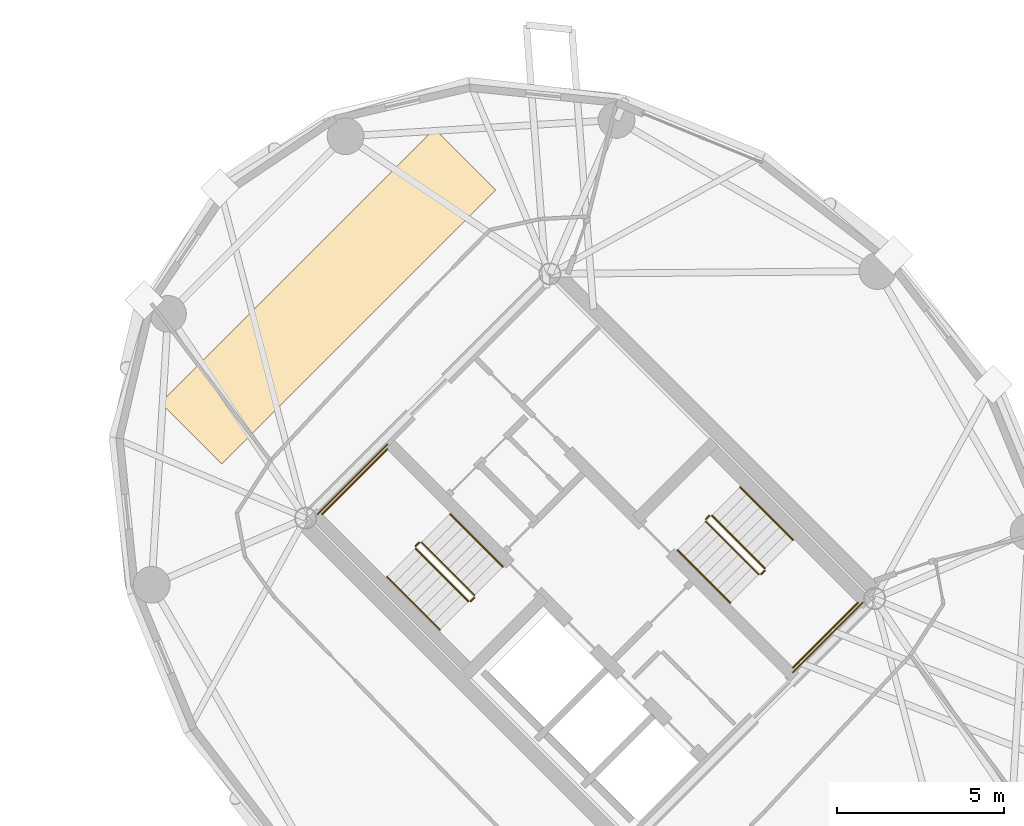
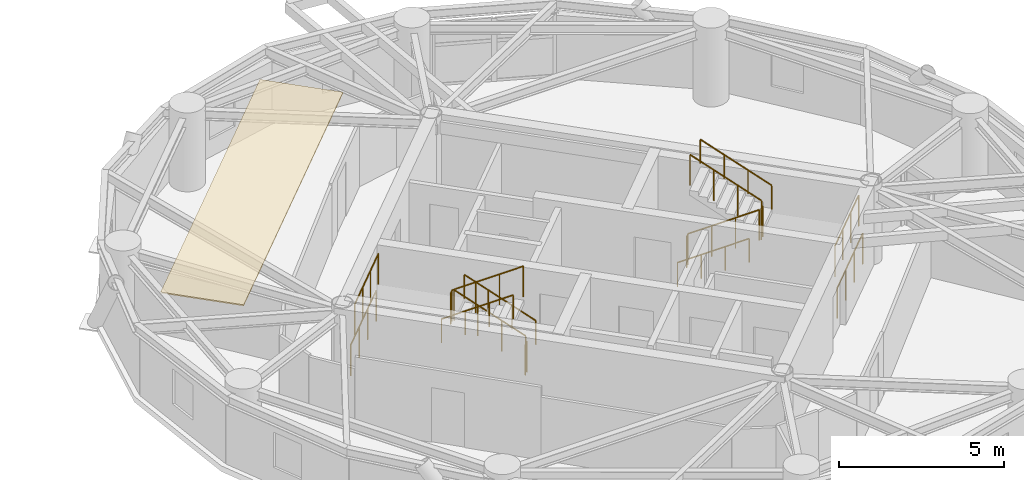
# One storey, part 14 of 14: 16 railings, 1 covering.
"""IFC4 building model written with IfcOpenShell, lengths in metres."""

import ifcopenshell
import ifcopenshell.guid

model = None  # the IFC model being written
_history = None  # IfcOwnerHistory: only IFC2X3 demands one
_inside = {}  # id of a spatial element -> (the spatial element, [elements in it])
_under = {}  # id of a project, library or spatial element -> (it, [spatial elements below it])
_declared = {}  # id of a project -> (the project, [libraries it declares])
_typed = {}  # id of a type object -> (the type object, [elements of that type])
_made_of = {}  # id of a material, layer set ... -> (it, [elements and type objects made of it])


def new_model(schema):
    """Start an empty IFC model of exactly this schema.

    Asked for "IFC4X3", IfcOpenShell would pick the latest addendum, in which some entities
    have other attributes; the version numbers below select the first issue.
    IFC2X3 requires an IfcOwnerHistory on every rooted entity: one is made here for all.
    """
    global model, _history
    if schema == "IFC4X3":
        model = ifcopenshell.file(schema_version=(4, 3, 0, 0))
    else:
        model = ifcopenshell.file(schema=schema)
    _inside.clear()
    _under.clear()
    _declared.clear()
    _typed.clear()
    _made_of.clear()
    _history = None
    if model.schema == "IFC2X3":
        org = make("IfcOrganization", Name="unknown")
        user = make(
            "IfcPersonAndOrganization",
            ThePerson=make("IfcPerson", FamilyName="unknown"),
            TheOrganization=org,
        )
        app = make(
            "IfcApplication",
            ApplicationDeveloper=org,
            Version="unknown",
            ApplicationFullName="unknown",
            ApplicationIdentifier="unknown",
        )
        _history = make(
            "IfcOwnerHistory",
            OwningUser=user,
            OwningApplication=app,
            ChangeAction="ADDED",
            CreationDate=0,
        )
    return model


def make(cls, **values):
    """One entity of the class cls with the attributes given. An attribute that is None is left unset."""
    return model.create_entity(
        cls, **{name: value for name, value in values.items() if value is not None}
    )


def rooted(cls, **values):
    """An entity with a GlobalId (a new one), such as an element, a storey or a relation."""
    return make(cls, GlobalId=ifcopenshell.guid.new(), OwnerHistory=_history, **values)


def si_unit(unit_type, name, prefix=None):
    """IfcSIUnit, for example si_unit("LENGTHUNIT", "METRE", prefix="MILLI")."""
    return make("IfcSIUnit", UnitType=unit_type, Prefix=prefix, Name=name)


def assignment(units):
    """IfcUnitAssignment: the units of a project."""
    return None if units is None else make("IfcUnitAssignment", Units=units)


def point(xyz):
    """IfcCartesianPoint."""
    return None if xyz is None else make("IfcCartesianPoint", Coordinates=xyz)


def direction(xyz):
    """IfcDirection."""
    return None if xyz is None else make("IfcDirection", DirectionRatios=xyz)


def frame(location, z_axis=None, x_axis=None):
    """IfcAxis2Placement3D, a coordinate frame: its origin and axes. An axis left out is left unset."""
    return make(
        "IfcAxis2Placement3D",
        Location=point(location),
        Axis=direction(z_axis),
        RefDirection=direction(x_axis),
    )


def frame_2d(location, x_axis=None):
    """IfcAxis2Placement2D, a coordinate frame in the plane: its origin and x axis."""
    return make(
        "IfcAxis2Placement2D", Location=point(location), RefDirection=direction(x_axis)
    )


def origin():
    """The frame at (0, 0, 0) with its axes left unset."""
    return frame((0.0, 0.0, 0.0))


def origin_2d():
    """The frame at (0, 0) in the plane with its x axis left unset."""
    return frame_2d((0.0, 0.0))


def place(relative_to, where):
    """IfcLocalPlacement: puts the frame where relative to a parent placement (None: the world)."""
    return make(
        "IfcLocalPlacement", PlacementRelTo=relative_to, RelativePlacement=where
    )


def context(
    kind, dimensions, precision=None, world=None, true_north=None, identifier=None
):
    """IfcGeometricRepresentationContext, for example the 3D "Model" context."""
    return make(
        "IfcGeometricRepresentationContext",
        ContextIdentifier=identifier,
        ContextType=kind,
        CoordinateSpaceDimension=dimensions,
        Precision=precision,
        WorldCoordinateSystem=world,
        TrueNorth=true_north,
    )


def subcontext(parent, identifier, kind, view, scale=None):
    """IfcGeometricRepresentationSubContext, for example "Body" below "Model"."""
    return make(
        "IfcGeometricRepresentationSubContext",
        ContextIdentifier=identifier,
        ContextType=kind,
        ParentContext=parent,
        TargetScale=scale,
        TargetView=view,
    )


def project(units=None, contexts=None):
    """IfcProject with its units and contexts."""
    return rooted(
        "IfcProject",
        Name="project",
        RepresentationContexts=contexts,
        UnitsInContext=assignment(units),
    )


def spatial(cls, under=None, at=None, **own):
    """A site, building, storey or space (cls), placed at a placement, below another one or the project."""
    s = rooted(cls, ObjectPlacement=at, **own)
    if under is not None:
        _under.setdefault(under.id(), (under, []))[1].append(s)
    return s


def polyline(points):
    """IfcPolyline through the points."""
    return make("IfcPolyline", Points=[point(p) for p in points])


def profile(cls, at=None, kind="AREA", **sizes):
    """A parametric profile (cls). Its sizes go by their IFC names, for example OverallWidth=200.0."""
    return make(cls, ProfileType=kind, Position=at, **sizes)


def circle(**sizes):
    """IfcCircleProfileDef."""
    return profile("IfcCircleProfileDef", **sizes)


def outline(outer, holes=None, kind="AREA"):
    """IfcArbitraryClosedProfileDef: a profile drawn as a closed curve; with holes, ...WithVoids."""
    if holes is None:
        return make("IfcArbitraryClosedProfileDef", ProfileType=kind, OuterCurve=outer)
    return make(
        "IfcArbitraryProfileDefWithVoids",
        ProfileType=kind,
        OuterCurve=outer,
        InnerCurves=holes,
    )


def extrude(swept, where, along, depth):
    """IfcExtrudedAreaSolid: the profile swept, set in the frame where, extruded along a direction by depth."""
    return make(
        "IfcExtrudedAreaSolid",
        SweptArea=swept,
        Position=where,
        ExtrudedDirection=direction(along),
        Depth=depth,
    )


def shape(context_of_items, identifier, shape_type, items):
    """IfcShapeRepresentation: the items that make up one representation, for example the "Body"."""
    return make(
        "IfcShapeRepresentation",
        ContextOfItems=context_of_items,
        RepresentationIdentifier=identifier,
        RepresentationType=shape_type,
        Items=items,
    )


def material(Name=None, Category=None):
    """IfcMaterial."""
    return make("IfcMaterial", Name=Name, Category=Category)


def layer(
    of_material, thickness, ventilated=None, Name=None, Category=None, Priority=None
):
    """IfcMaterialLayer: one layer of a wall or slab, of a material (None: an air gap)."""
    return make(
        "IfcMaterialLayer",
        Material=of_material,
        LayerThickness=thickness,
        IsVentilated=ventilated,
        Name=Name,
        Category=Category,
        Priority=Priority,
    )


def layer_set(layers, Name=None):
    """IfcMaterialLayerSet."""
    return make("IfcMaterialLayerSet", MaterialLayers=layers, LayerSetName=Name)


def made_of(thing, what):
    """Note that an element or type object is made of a material, layer set ...; save() writes the relation."""
    if what is not None:
        _made_of.setdefault(what.id(), (what, []))[1].append(thing)
    return thing


def type_object(cls, material=None, **own):
    """A type object (cls), such as IfcWallType, which elements share."""
    return made_of(rooted(cls, **own), material)


def element(
    cls,
    number,
    at=None,
    inside=None,
    cuts=None,
    type_object=None,
    material=None,
    context=None,
    identifier="Body",
    shape_type=None,
    held_by="IfcProductDefinitionShape",
    body=None,
    shapes=None,
    **own,
):
    """One element of the class cls, such as IfcWall. Its Tag is "e" and its number.

    at: its placement. inside: the storey or other place that contains it. cuts: it is an
    opening in that element (IfcRelVoidsElement). A single representation is given by context,
    identifier, shape_type and body (its items); several are given by shapes. held_by: the class
    of the entity that holds the representations. save() writes the other relations.
    """
    e = rooted(cls, Tag="e%d" % number, ObjectPlacement=at, **own)
    if body is not None:
        shapes = [shape(context, identifier, shape_type, body)]
    if shapes is not None:
        e.Representation = make(held_by, Representations=shapes)
    if inside is not None:
        _inside.setdefault(inside.id(), (inside, []))[1].append(e)
    if cuts is not None:
        rooted(
            "IfcRelVoidsElement", RelatingBuildingElement=cuts, RelatedOpeningElement=e
        )
    if type_object is not None:
        _typed.setdefault(type_object.id(), (type_object, []))[1].append(e)
    return made_of(e, material)


def aggregate(whole, parts):
    """IfcRelAggregates: a whole, such as a stair, and the parts it consists of."""
    return rooted("IfcRelAggregates", RelatingObject=whole, RelatedObjects=parts)


def save(model, path):
    """Write the relations noted so far, then the file.

    IfcRelAggregates (storeys below a building ...), IfcRelContainedInSpatialStructure (elements
    in a storey), IfcRelDefinesByType, IfcRelAssociatesMaterial and IfcRelDeclares: one each for
    every whole, place, type object, material and project.
    """
    for whole, parts in _under.values():
        aggregate(whole, parts)
    for where, things in _inside.values():
        rooted(
            "IfcRelContainedInSpatialStructure",
            RelatedElements=things,
            RelatingStructure=where,
        )
    for kind, things in _typed.values():
        rooted("IfcRelDefinesByType", RelatedObjects=things, RelatingType=kind)
    for what, things in _made_of.values():
        rooted("IfcRelAssociatesMaterial", RelatedObjects=things, RelatingMaterial=what)
    for by, libraries in _declared.values():
        rooted("IfcRelDeclares", RelatingContext=by, RelatedDefinitions=libraries)
    model.write(path)


model = new_model("IFC4")

# Units and contexts
model_context = context("Model", 3, precision=1e-05, world=origin(), true_north=direction((0.0, 1.0)))
body_context = subcontext(model_context, "Body", "Model", "MODEL_VIEW")
ifc_project = project(units=[si_unit("LENGTHUNIT", "METRE"), si_unit("AREAUNIT", "SQUARE_METRE"), si_unit("VOLUMEUNIT", "CUBIC_METRE"), si_unit("PLANEANGLEUNIT", "RADIAN"), si_unit("MASSUNIT", "GRAM", prefix="KILO")], contexts=[model_context])

# Site, building, storey
site_placement = place(None, origin())
site = spatial("IfcSite", under=ifc_project, at=site_placement, CompositionType="ELEMENT")
building_placement = place(site_placement, origin())
building = spatial("IfcBuilding", under=site, at=building_placement, Name="Cununo Teusaquillo Station Towers", CompositionType="ELEMENT")
storey_placement = place(building_placement, frame((0.0, 0.0, 202.47998046875)))
storey = spatial("IfcBuildingStorey", under=building, at=storey_placement, Name="L64", CompositionType="ELEMENT", Elevation=202.47998046875)

# Covering
ifc_material_1 = material(Name="Mineral-fibre acoustic suspended ceiling tile", Category="finish")
ifc_layer = layer(ifc_material_1, 0.044921875)
ifc_layer_set = layer_set([ifc_layer], Name="Mineral-fibre acoustic suspended ceiling tile")
covering_type = type_object("IfcCoveringType", Name="COV-CEIL-600", PredefinedType="CEILING", material=ifc_layer_set)
covering_placement = place(storey_placement, frame((0.0, 0.0, 2.655029296875)))
element("IfcCovering", 1, at=covering_placement, inside=storey, type_object=covering_type, Name="L64 Tower B Acoustic Ceiling", PredefinedType="CEILING", context=body_context, shape_type="SweptSolid", body=[
    extrude(outline(polyline([(52.8330078125, 37.369384765625), (54.671630859375, 35.531005859375), (46.468994140625, 27.328369140625), (44.630615234375, 29.1669921875), (52.8330078125, 37.369384765625)])), origin(), (0.0, 0.0, 1.0), 0.044921875),
])

# Railings
ifc_material_2 = material(Name="Steel EN 10025-2 S355J2", Category="steel")
railing_type_1 = type_object("IfcRailingType", Name="RL-INT-GUARD", PredefinedType="GUARDRAIL", material=ifc_material_2)
railing_1_placement = place(storey_placement, frame((54.03515625, 23.39697265625, 0.16162109375)))
element("IfcRailing", 2, at=railing_1_placement, inside=storey, type_object=railing_type_1, Name="L64 ST-T2-1 stair guard 1", PredefinedType="GUARDRAIL", context=body_context, shape_type="SweptSolid", body=[
    extrude(circle(Radius=0.02392578125, at=origin_2d()), frame((0.0, 0.0, 1.1259765625), z_axis=(-0.612332353853, 0.612332353853, 0.500098167213), x_axis=(-0.707106781187, -0.707106781187, 0.0)), (0.0, 0.0, 1.0), 2.58642578125),
    extrude(circle(Radius=0.02099609375, at=origin_2d()), origin(), (0.0, 0.0, 1.0), 1.101806640625),
    extrude(circle(Radius=0.02099609375, at=origin_2d()), frame((-0.52783203125, 0.52783203125, 0.43115234375)), (0.0, 0.0, 1.0), 1.101806640625),
    extrude(circle(Radius=0.02099609375, at=origin_2d()), frame((-1.055908203125, 1.055908203125, 0.8623046875)), (0.0, 0.0, 1.0), 1.101806640625),
    extrude(circle(Radius=0.02099609375, at=origin_2d()), frame((-1.583740234375, 1.583740234375, 1.29345703125)), (0.0, 0.0, 1.0), 1.101806640625),
])
railing_2_placement = place(storey_placement, frame((52.380615234375, 24.980712890625, 1.455078125)))
element("IfcRailing", 3, at=railing_2_placement, inside=storey, type_object=railing_type_1, Name="L64 ST-T2-1 stair guard 2", PredefinedType="GUARDRAIL", context=body_context, shape_type="SweptSolid", body=[
    extrude(circle(Radius=0.02392578125, at=origin_2d()), frame((0.0, 0.0, 1.1259765625), z_axis=(-0.7078691598, -0.706343579714, 0.0), x_axis=(0.706343579714, -0.7078691598, 0.0)), (0.0, 0.0, 1.0), 0.159912109375),
    extrude(circle(Radius=0.02099609375, at=origin_2d()), origin(), (0.0, 0.0, 1.0), 1.101806640625),
    extrude(circle(Radius=0.02099609375, at=origin_2d()), frame((-0.11328125, -0.113037109375, 0.0)), (0.0, 0.0, 1.0), 1.101806640625),
])
railing_3_placement = place(storey_placement, frame((51.426025390625, 27.77392578125, 1.455078125)))
element("IfcRailing", 4, at=railing_3_placement, inside=storey, type_object=railing_type_1, Name="L64 ST-T2-1 stair guard 3", PredefinedType="GUARDRAIL", context=body_context, shape_type="SweptSolid", body=[
    extrude(circle(Radius=0.02392578125, at=origin_2d()), frame((0.0, 0.0, 1.1259765625), z_axis=(-0.707106781187, -0.707106781187, 0.0), x_axis=(0.707106781187, -0.707106781187, 0.0)), (0.0, 0.0, 1.0), 2.760009765625),
    extrude(circle(Radius=0.02099609375, at=origin_2d()), origin(), (0.0, 0.0, 1.0), 1.101806640625),
    extrude(circle(Radius=0.02099609375, at=origin_2d()), frame((-0.650634765625, -0.650634765625, 0.0)), (0.0, 0.0, 1.0), 1.101806640625),
    extrude(circle(Radius=0.02099609375, at=origin_2d()), frame((-1.301025390625, -1.301025390625, 0.0)), (0.0, 0.0, 1.0), 1.101806640625),
    extrude(circle(Radius=0.02099609375, at=origin_2d()), frame((-1.95166015625, -1.95166015625, 0.0)), (0.0, 0.0, 1.0), 1.101806640625),
])
railing_4_placement = place(storey_placement, frame((52.267333984375, 24.796875, 1.61669921875)))
element("IfcRailing", 5, at=railing_4_placement, inside=storey, type_object=railing_type_1, Name="L64 ST-T2-1 stair guard 4", PredefinedType="GUARDRAIL", context=body_context, shape_type="SweptSolid", body=[
    extrude(circle(Radius=0.02392578125, at=origin_2d()), frame((0.0, 0.0, 1.1259765625), z_axis=(0.612420254088, -0.612325861324, 0.499998471934), x_axis=(0.707052281454, 0.707161276719, 0.0)), (0.0, 0.0, 1.0), 2.58642578125),
    extrude(circle(Radius=0.02099609375, at=origin_2d()), origin(), (0.0, 0.0, 1.0), 1.101806640625),
    extrude(circle(Radius=0.02099609375, at=origin_2d()), frame((0.528076171875, -0.52783203125, 0.43115234375)), (0.0, 0.0, 1.0), 1.101806640625),
    extrude(circle(Radius=0.02099609375, at=origin_2d()), frame((1.055908203125, -1.055908203125, 0.862060546875)), (0.0, 0.0, 1.0), 1.101806640625),
    extrude(circle(Radius=0.02099609375, at=origin_2d()), frame((1.583984375, -1.583740234375, 1.293212890625)), (0.0, 0.0, 1.0), 1.101806640625),
])
railing_5_placement = place(storey_placement, frame((54.03515625, 23.326171875, 0.0)))
element("IfcRailing", 6, at=railing_5_placement, inside=storey, type_object=railing_type_1, Name="L64 ST-T2-1 stair guard 5", PredefinedType="GUARDRAIL", context=body_context, shape_type="SweptSolid", body=[
    extrude(circle(Radius=0.02392578125, at=origin_2d()), frame((0.0, 0.0, 1.1259765625), z_axis=(-0.707106781187, -0.707106781187, 0.0), x_axis=(0.707106781187, -0.707106781187, 0.0)), (0.0, 0.0, 1.0), 0.159912109375),
    extrude(circle(Radius=0.02099609375, at=origin_2d()), origin(), (0.0, 0.0, 1.0), 1.101806640625),
    extrude(circle(Radius=0.02099609375, at=origin_2d()), frame((-0.113037109375, -0.113037109375, 0.0)), (0.0, 0.0, 1.0), 1.101806640625),
])
railing_6_placement = place(storey_placement, frame((51.426025390625, 27.915283203125, 0.0)))
element("IfcRailing", 7, at=railing_6_placement, inside=storey, type_object=railing_type_1, Name="L64 ST-T2-1 stair guard 6", PredefinedType="GUARDRAIL", context=body_context, shape_type="SweptSolid", body=[
    extrude(circle(Radius=0.02392578125, at=origin_2d()), frame((0.0, 0.0, 1.1259765625), z_axis=(-0.707106781187, -0.707106781187, 0.0), x_axis=(0.707106781187, -0.707106781187, 0.0)), (0.0, 0.0, 1.0), 2.9599609375),
    extrude(circle(Radius=0.02099609375, at=origin_2d()), origin(), (0.0, 0.0, 1.0), 1.101806640625),
    extrude(circle(Radius=0.02099609375, at=origin_2d()), frame((-0.69775390625, -0.69775390625, 0.0)), (0.0, 0.0, 1.0), 1.101806640625),
    extrude(circle(Radius=0.02099609375, at=origin_2d()), frame((-1.395263671875, -1.395263671875, 0.0)), (0.0, 0.0, 1.0), 1.101806640625),
    extrude(circle(Radius=0.02099609375, at=origin_2d()), frame((-2.093017578125, -2.093017578125, 0.0)), (0.0, 0.0, 1.0), 1.101806640625),
])
railing_7_placement = place(storey_placement, frame((60.96484375, 25.60302734375, 0.16162109375)))
element("IfcRailing", 8, at=railing_7_placement, inside=storey, type_object=railing_type_1, Name="L64 ST-T2-2 stair guard 1", PredefinedType="GUARDRAIL", context=body_context, shape_type="SweptSolid", body=[
    extrude(circle(Radius=0.02392578125, at=origin_2d()), frame((0.0, 0.0, 1.1259765625), z_axis=(0.612332353853, -0.612332353853, 0.500098167213), x_axis=(0.707106781187, 0.707106781187, 0.0)), (0.0, 0.0, 1.0), 2.58642578125),
    extrude(circle(Radius=0.02099609375, at=origin_2d()), origin(), (0.0, 0.0, 1.0), 1.101806640625),
    extrude(circle(Radius=0.02099609375, at=origin_2d()), frame((0.52783203125, -0.52783203125, 0.43115234375)), (0.0, 0.0, 1.0), 1.101806640625),
    extrude(circle(Radius=0.02099609375, at=origin_2d()), frame((1.055908203125, -1.055908203125, 0.8623046875)), (0.0, 0.0, 1.0), 1.101806640625),
    extrude(circle(Radius=0.02099609375, at=origin_2d()), frame((1.583740234375, -1.583740234375, 1.29345703125)), (0.0, 0.0, 1.0), 1.101806640625),
])
railing_8_placement = place(storey_placement, frame((62.619384765625, 24.019287109375, 1.455078125)))
element("IfcRailing", 9, at=railing_8_placement, inside=storey, type_object=railing_type_1, Name="L64 ST-T2-2 stair guard 2", PredefinedType="GUARDRAIL", context=body_context, shape_type="SweptSolid", body=[
    extrude(circle(Radius=0.02392578125, at=origin_2d()), frame((0.0, 0.0, 1.1259765625), z_axis=(0.7078691598, 0.706343579714, 0.0), x_axis=(-0.706343579714, 0.7078691598, 0.0)), (0.0, 0.0, 1.0), 0.159912109375),
    extrude(circle(Radius=0.02099609375, at=origin_2d()), origin(), (0.0, 0.0, 1.0), 1.101806640625),
    extrude(circle(Radius=0.02099609375, at=origin_2d()), frame((0.11328125, 0.113037109375, 0.0)), (0.0, 0.0, 1.0), 1.101806640625),
])
railing_9_placement = place(storey_placement, frame((63.573974609375, 21.22607421875, 1.455078125)))
element("IfcRailing", 10, at=railing_9_placement, inside=storey, type_object=railing_type_1, Name="L64 ST-T2-2 stair guard 3", PredefinedType="GUARDRAIL", context=body_context, shape_type="SweptSolid", body=[
    extrude(circle(Radius=0.02392578125, at=origin_2d()), frame((0.0, 0.0, 1.1259765625), z_axis=(0.707106781187, 0.707106781187, 0.0), x_axis=(-0.707106781187, 0.707106781187, 0.0)), (0.0, 0.0, 1.0), 2.760009765625),
    extrude(circle(Radius=0.02099609375, at=origin_2d()), origin(), (0.0, 0.0, 1.0), 1.101806640625),
    extrude(circle(Radius=0.02099609375, at=origin_2d()), frame((0.650634765625, 0.650634765625, 0.0)), (0.0, 0.0, 1.0), 1.101806640625),
    extrude(circle(Radius=0.02099609375, at=origin_2d()), frame((1.301025390625, 1.301025390625, 0.0)), (0.0, 0.0, 1.0), 1.101806640625),
    extrude(circle(Radius=0.02099609375, at=origin_2d()), frame((1.95166015625, 1.95166015625, 0.0)), (0.0, 0.0, 1.0), 1.101806640625),
])
railing_10_placement = place(storey_placement, frame((62.732666015625, 24.203125, 1.61669921875)))
element("IfcRailing", 11, at=railing_10_placement, inside=storey, type_object=railing_type_1, Name="L64 ST-T2-2 stair guard 4", PredefinedType="GUARDRAIL", context=body_context, shape_type="SweptSolid", body=[
    extrude(circle(Radius=0.02392578125, at=origin_2d()), frame((0.0, 0.0, 1.1259765625), z_axis=(-0.612420254088, 0.612325861324, 0.499998471934), x_axis=(-0.707052281454, -0.707161276719, 0.0)), (0.0, 0.0, 1.0), 2.58642578125),
    extrude(circle(Radius=0.02099609375, at=origin_2d()), origin(), (0.0, 0.0, 1.0), 1.101806640625),
    extrude(circle(Radius=0.02099609375, at=origin_2d()), frame((-0.528076171875, 0.52783203125, 0.43115234375)), (0.0, 0.0, 1.0), 1.101806640625),
    extrude(circle(Radius=0.02099609375, at=origin_2d()), frame((-1.055908203125, 1.055908203125, 0.862060546875)), (0.0, 0.0, 1.0), 1.101806640625),
    extrude(circle(Radius=0.02099609375, at=origin_2d()), frame((-1.583984375, 1.583740234375, 1.293212890625)), (0.0, 0.0, 1.0), 1.101806640625),
])
railing_11_placement = place(storey_placement, frame((60.96484375, 25.673828125, 0.0)))
element("IfcRailing", 12, at=railing_11_placement, inside=storey, type_object=railing_type_1, Name="L64 ST-T2-2 stair guard 5", PredefinedType="GUARDRAIL", context=body_context, shape_type="SweptSolid", body=[
    extrude(circle(Radius=0.02392578125, at=origin_2d()), frame((0.0, 0.0, 1.1259765625), z_axis=(0.707106781187, 0.707106781187, 0.0), x_axis=(-0.707106781187, 0.707106781187, 0.0)), (0.0, 0.0, 1.0), 0.159912109375),
    extrude(circle(Radius=0.02099609375, at=origin_2d()), origin(), (0.0, 0.0, 1.0), 1.101806640625),
    extrude(circle(Radius=0.02099609375, at=origin_2d()), frame((0.113037109375, 0.113037109375, 0.0)), (0.0, 0.0, 1.0), 1.101806640625),
])
railing_12_placement = place(storey_placement, frame((63.573974609375, 21.084716796875, 0.0)))
element("IfcRailing", 13, at=railing_12_placement, inside=storey, type_object=railing_type_1, Name="L64 ST-T2-2 stair guard 6", PredefinedType="GUARDRAIL", context=body_context, shape_type="SweptSolid", body=[
    extrude(circle(Radius=0.02392578125, at=origin_2d()), frame((0.0, 0.0, 1.1259765625), z_axis=(0.707106781187, 0.707106781187, 0.0), x_axis=(-0.707106781187, 0.707106781187, 0.0)), (0.0, 0.0, 1.0), 2.9599609375),
    extrude(circle(Radius=0.02099609375, at=origin_2d()), origin(), (0.0, 0.0, 1.0), 1.101806640625),
    extrude(circle(Radius=0.02099609375, at=origin_2d()), frame((0.69775390625, 0.69775390625, 0.0)), (0.0, 0.0, 1.0), 1.101806640625),
    extrude(circle(Radius=0.02099609375, at=origin_2d()), frame((1.395263671875, 1.395263671875, 0.0)), (0.0, 0.0, 1.0), 1.101806640625),
    extrude(circle(Radius=0.02099609375, at=origin_2d()), frame((2.093017578125, 2.093017578125, 0.0)), (0.0, 0.0, 1.0), 1.101806640625),
])
ifc_material_3 = material(Name="Steel EN 10025-2 S355J2", Category="steel")
railing_type_2 = type_object("IfcRailingType", Name="RL-INT-HRAIL", PredefinedType="HANDRAIL", material=ifc_material_3)
railing_13_placement = place(storey_placement, frame((54.8837890625, 24.245361328125, 0.16162109375)))
element("IfcRailing", 14, at=railing_13_placement, inside=storey, type_object=railing_type_2, Name="L64 ST-T2-1 stair handrail 1", PredefinedType="HANDRAIL", context=body_context, shape_type="SweptSolid", body=[
    extrude(circle(Radius=0.02392578125, at=origin_2d()), frame((0.0, 0.0, 0.8759765625), z_axis=(-0.612355957468, 0.612355957468, 0.500040361077), x_axis=(-0.707106781187, -0.707106781187, 0.0)), (0.0, 0.0, 1.0), 2.586669921875),
    extrude(circle(Radius=0.02099609375, at=origin_2d()), origin(), (0.0, 0.0, 1.0), 0.851806640625),
    extrude(circle(Radius=0.02099609375, at=origin_2d()), frame((-0.528076171875, 0.528076171875, 0.43115234375)), (0.0, 0.0, 1.0), 0.851806640625),
    extrude(circle(Radius=0.02099609375, at=origin_2d()), frame((-1.055908203125, 1.055908203125, 0.8623046875)), (0.0, 0.0, 1.0), 0.851806640625),
    extrude(circle(Radius=0.02099609375, at=origin_2d()), frame((-1.583984375, 1.583984375, 1.29345703125)), (0.0, 0.0, 1.0), 0.851806640625),
])
railing_14_placement = place(storey_placement, frame((51.4189453125, 23.948486328125, 1.61669921875)))
element("IfcRailing", 15, at=railing_14_placement, inside=storey, type_object=railing_type_2, Name="L64 ST-T2-1 stair handrail 2", PredefinedType="HANDRAIL", context=body_context, shape_type="SweptSolid", body=[
    extrude(circle(Radius=0.02392578125, at=origin_2d()), frame((0.0, 0.0, 0.8759765625), z_axis=(0.612384857071, -0.612384857071, 0.499969572735), x_axis=(0.707106781187, 0.707106781187, 0.0)), (0.0, 0.0, 1.0), 2.586669921875),
    extrude(circle(Radius=0.02099609375, at=origin_2d()), origin(), (0.0, 0.0, 1.0), 0.851806640625),
    extrude(circle(Radius=0.02099609375, at=origin_2d()), frame((0.528076171875, -0.528076171875, 0.43115234375)), (0.0, 0.0, 1.0), 0.851806640625),
    extrude(circle(Radius=0.02099609375, at=origin_2d()), frame((1.055908203125, -1.055908203125, 0.862060546875)), (0.0, 0.0, 1.0), 0.851806640625),
    extrude(circle(Radius=0.02099609375, at=origin_2d()), frame((1.583984375, -1.583984375, 1.293212890625)), (0.0, 0.0, 1.0), 0.851806640625),
])
railing_15_placement = place(storey_placement, frame((60.1162109375, 24.754638671875, 0.16162109375)))
element("IfcRailing", 16, at=railing_15_placement, inside=storey, type_object=railing_type_2, Name="L64 ST-T2-2 stair handrail 1", PredefinedType="HANDRAIL", context=body_context, shape_type="SweptSolid", body=[
    extrude(circle(Radius=0.02392578125, at=origin_2d()), frame((0.0, 0.0, 0.8759765625), z_axis=(0.612355957468, -0.612355957468, 0.500040361077), x_axis=(0.707106781187, 0.707106781187, 0.0)), (0.0, 0.0, 1.0), 2.586669921875),
    extrude(circle(Radius=0.02099609375, at=origin_2d()), origin(), (0.0, 0.0, 1.0), 0.851806640625),
    extrude(circle(Radius=0.02099609375, at=origin_2d()), frame((0.528076171875, -0.528076171875, 0.43115234375)), (0.0, 0.0, 1.0), 0.851806640625),
    extrude(circle(Radius=0.02099609375, at=origin_2d()), frame((1.055908203125, -1.055908203125, 0.8623046875)), (0.0, 0.0, 1.0), 0.851806640625),
    extrude(circle(Radius=0.02099609375, at=origin_2d()), frame((1.583984375, -1.583984375, 1.29345703125)), (0.0, 0.0, 1.0), 0.851806640625),
])
railing_16_placement = place(storey_placement, frame((63.5810546875, 25.051513671875, 1.61669921875)))
element("IfcRailing", 17, at=railing_16_placement, inside=storey, type_object=railing_type_2, Name="L64 ST-T2-2 stair handrail 2", PredefinedType="HANDRAIL", context=body_context, shape_type="SweptSolid", body=[
    extrude(circle(Radius=0.02392578125, at=origin_2d()), frame((0.0, 0.0, 0.8759765625), z_axis=(-0.612384857071, 0.612384857071, 0.499969572735), x_axis=(-0.707106781187, -0.707106781187, 0.0)), (0.0, 0.0, 1.0), 2.586669921875),
    extrude(circle(Radius=0.02099609375, at=origin_2d()), origin(), (0.0, 0.0, 1.0), 0.851806640625),
    extrude(circle(Radius=0.02099609375, at=origin_2d()), frame((-0.528076171875, 0.528076171875, 0.43115234375)), (0.0, 0.0, 1.0), 0.851806640625),
    extrude(circle(Radius=0.02099609375, at=origin_2d()), frame((-1.055908203125, 1.055908203125, 0.862060546875)), (0.0, 0.0, 1.0), 0.851806640625),
    extrude(circle(Radius=0.02099609375, at=origin_2d()), frame((-1.583984375, 1.583984375, 1.293212890625)), (0.0, 0.0, 1.0), 0.851806640625),
])

save(model, "model.ifc")
